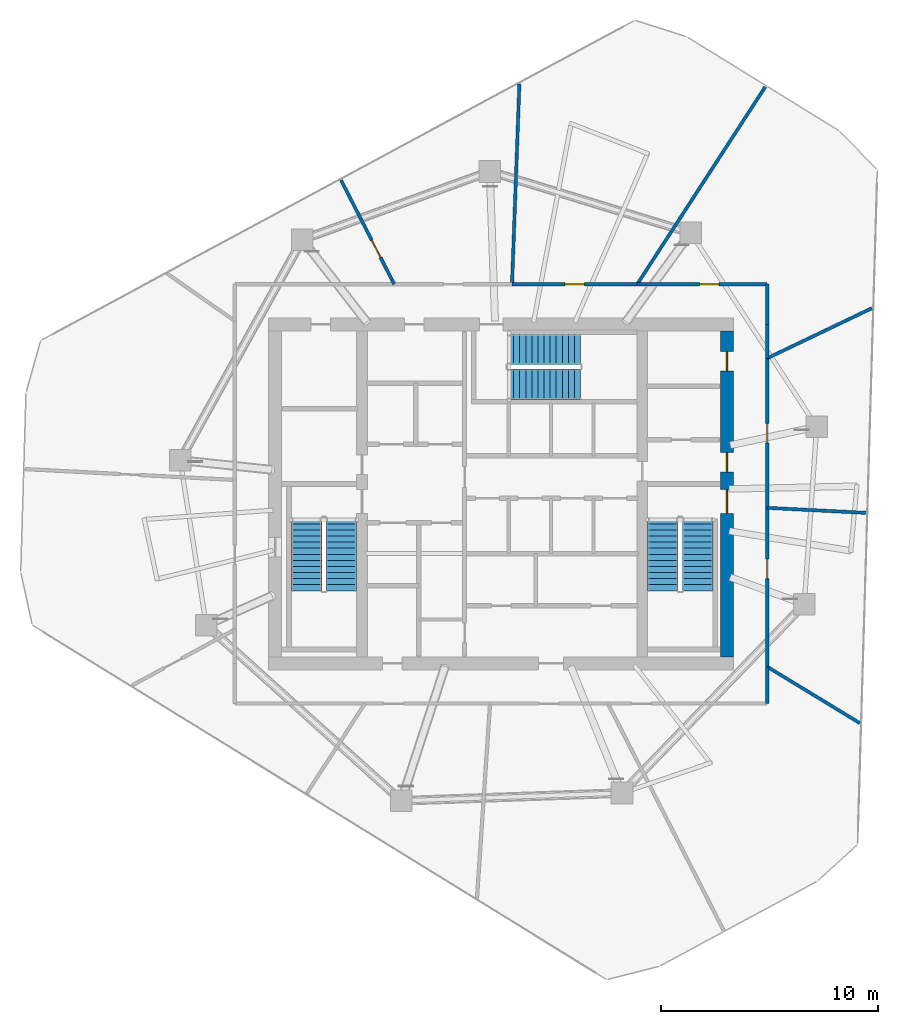
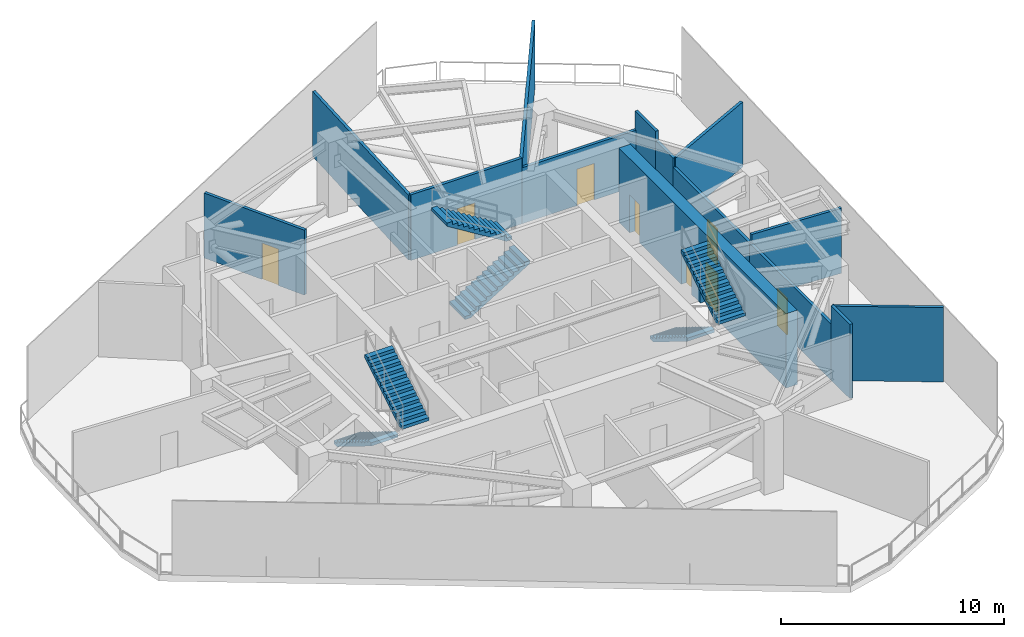
# One storey, part 4 of 6: 14 walls, 8 doors, 6 stair flights, 8 openings, 3 elements without a shape of their own.
"""IFC4 building model written with IfcOpenShell, lengths in metres."""

from ifc_helpers import new_model, si_unit, direction, frame, frame_2d, origin, place, context, subcontext, project, spatial, polyline, rectangle, outline, extrude, material, layer, layer_set, type_object, element, fill, aggregate, save


model = new_model("IFC4")

# Units and contexts
model_context = context("Model", 3, precision=1e-05, world=origin(), true_north=direction((0.0, 1.0)))
body_context = subcontext(model_context, "Body", "Model", "MODEL_VIEW")
ifc_project = project(units=[si_unit("LENGTHUNIT", "METRE"), si_unit("AREAUNIT", "SQUARE_METRE"), si_unit("VOLUMEUNIT", "CUBIC_METRE"), si_unit("PLANEANGLEUNIT", "RADIAN"), si_unit("MASSUNIT", "GRAM", prefix="KILO")], contexts=[model_context])

# Site, building, storey
site_placement = place(None, origin())
site = spatial("IfcSite", under=ifc_project, at=site_placement, CompositionType="ELEMENT")
building_placement = place(site_placement, origin())
building = spatial("IfcBuilding", under=site, at=building_placement, Name="Qarnah Convention Tower", CompositionType="ELEMENT")
storey_placement = place(building_placement, frame((0.0, 0.0, 172.5)))
storey = spatial("IfcBuildingStorey", under=building, at=storey_placement, Name="L46", CompositionType="ELEMENT", Elevation=172.5)

# Wall, openings, doors
ifc_material_1 = material(Name="Concrete C60/75", Category="concrete")
ifc_layer_1 = layer(ifc_material_1, 0.60009765625)
ifc_layer_set_1 = layer_set([ifc_layer_1], Name="Concrete C60/75")
wall_type_1 = type_object("IfcWallType", Name="WL-CORE-600", PredefinedType="SHEAR", material=ifc_layer_set_1)
wall_1_placement = place(storey_placement, frame((47.60009765625, 18.89990234375, 0.0), z_axis=(0.0, 0.0, 1.0), x_axis=(0.0, 1.0, 0.0)))
wall_1 = element("IfcWall", 1, at=wall_1_placement, inside=storey, type_object=wall_type_1, Name="L46 core east shear wall", PredefinedType="SHEAR", context=body_context, shape_type="SweptSolid", body=[
    extrude(rectangle(XDim=15.0, YDim=0.60009765625, at=frame_2d((7.5, 0.0))), origin(), (0.0, 0.0, 1.0), 4.080078125),
])
opening_1_placement = place(wall_1_placement, frame((6.60009765625, 0.0, 0.0)))
opening_1 = element("IfcOpeningElement", 2, at=opening_1_placement, cuts=wall_1, Name="Opening D-4602", PredefinedType="OPENING", context=body_context, shape_type="SweptSolid", body=[
    extrude(rectangle(XDim=1.10009765625, YDim=2.14990234375, at=frame_2d((0.550048828125, 1.074951171875))), frame((0.0, 0.31005859375, 0.0), z_axis=(0.0, -1.0, 0.0), x_axis=(1.0, 0.0, 0.0)), (0.0, 0.0, 1.0), 0.6201171875),
])
opening_2_placement = place(wall_1_placement, frame((8.5, 0.0, 0.0)))
opening_2 = element("IfcOpeningElement", 3, at=opening_2_placement, cuts=wall_1, Name="Opening D-4606", PredefinedType="OPENING", context=body_context, shape_type="SweptSolid", body=[
    extrude(rectangle(XDim=0.89990234375, YDim=2.10009765625, at=frame_2d((0.449951171875, 1.050048828125))), frame((0.0, 0.31005859375, 0.0), z_axis=(0.0, -1.0, 0.0), x_axis=(1.0, 0.0, 0.0)), (0.0, 0.0, 1.0), 0.6201171875),
])
opening_3_placement = place(wall_1_placement, frame((13.14990234375, 0.0, 0.0)))
opening_3 = element("IfcOpeningElement", 4, at=opening_3_placement, cuts=wall_1, Name="Opening D-4612", PredefinedType="OPENING", context=body_context, shape_type="SweptSolid", body=[
    extrude(rectangle(XDim=0.89990234375, YDim=2.10009765625, at=frame_2d((0.449951171875, 1.050048828125))), frame((0.0, 0.31005859375, 0.0), z_axis=(0.0, -1.0, 0.0), x_axis=(1.0, 0.0, 0.0)), (0.0, 0.0, 1.0), 0.6201171875),
])
ifc_material_2 = material(Name="Structural steel S355JR", Category="steel")
door_type_1 = type_object("IfcDoorType", Name="DT-RISER-900", OperationType="NOTDEFINED", PredefinedType="DOOR", material=ifc_material_2)
door_1_placement = place(opening_2_placement, origin())
door_1 = element("IfcDoor", 5, at=door_1_placement, inside=storey, type_object=door_type_1, Name="Door D-4606", OperationType="SINGLE_SWING_RIGHT", OverallHeight=2.10009765625, OverallWidth=0.89990234375, PredefinedType="DOOR", context=body_context, shape_type="SweptSolid", body=[
    extrude(rectangle(XDim=0.89990234375, YDim=2.10009765625, at=frame_2d((0.449951171875, 1.050048828125))), frame((0.0, 0.02490234375, 0.0), z_axis=(0.0, -1.0, 0.0), x_axis=(1.0, 0.0, 0.0)), (0.0, 0.0, 1.0), 0.050048828125),
])
fill(opening_2, door_1)
door_2_placement = place(opening_3_placement, origin())
door_2 = element("IfcDoor", 6, at=door_2_placement, inside=storey, type_object=door_type_1, Name="Door D-4612", OperationType="SINGLE_SWING_RIGHT", OverallHeight=2.10009765625, OverallWidth=0.89990234375, PredefinedType="DOOR", context=body_context, shape_type="SweptSolid", body=[
    extrude(rectangle(XDim=0.89990234375, YDim=2.10009765625, at=frame_2d((0.449951171875, 1.050048828125))), frame((0.0, 0.02490234375, 0.0), z_axis=(0.0, -1.0, 0.0), x_axis=(1.0, 0.0, 0.0)), (0.0, 0.0, 1.0), 0.050048828125),
])
fill(opening_3, door_2)
door_type_2 = type_object("IfcDoorType", Name="DT-STAIR-1100", OperationType="NOTDEFINED", PredefinedType="DOOR", material=ifc_material_2)
door_3_placement = place(opening_1_placement, origin())
door_3 = element("IfcDoor", 7, at=door_3_placement, inside=storey, type_object=door_type_2, Name="Door D-4602", OperationType="SINGLE_SWING_RIGHT", OverallHeight=2.14990234375, OverallWidth=1.10009765625, PredefinedType="DOOR", context=body_context, shape_type="SweptSolid", body=[
    extrude(rectangle(XDim=1.10009765625, YDim=2.14990234375, at=frame_2d((0.550048828125, 1.074951171875))), frame((0.0, 0.02490234375, 0.0), z_axis=(0.0, -1.0, 0.0), x_axis=(1.0, 0.0, 0.0)), (0.0, 0.0, 1.0), 0.050048828125),
])
fill(opening_1, door_3)

# Wall
ifc_material_3 = material(Name="Gypsum partition board")
ifc_layer_2 = layer(ifc_material_3, 0.14990234375)
ifc_layer_set_2 = layer_set([ifc_layer_2], Name="Gypsum partition board")
wall_type_2 = type_object("IfcWallType", Name="WL-SUITE-150", PredefinedType="PARTITIONING", material=ifc_layer_set_2)
wall_2_placement = place(storey_placement, frame((49.35595703125, 45.12890625, 0.0), z_axis=(0.0, 0.0, 1.0), x_axis=(-0.544186384165, -0.838964349236, 0.0)))
element("IfcWall", 8, at=wall_2_placement, inside=storey, type_object=wall_type_2, Name="L46 interior wall IW-L46-R-01", PredefinedType="PARTITIONING", context=body_context, shape_type="SweptSolid", body=[
    extrude(rectangle(XDim=10.821533203125, YDim=0.14990234375, at=frame_2d((5.41064453125, 0.0))), origin(), (0.0, 0.0, 1.0), 3.56494140625),
])

# Wall, opening, door
wall_3_placement = place(storey_placement, frame((43.467041015625, 36.050048828125, 0.0), z_axis=(0.0, 0.0, 1.0), x_axis=(1.0, 0.0, 0.0)))
wall_3 = element("IfcWall", 9, at=wall_3_placement, inside=storey, type_object=wall_type_2, Name="L46 interior wall IW-L46-R-02", PredefinedType="PARTITIONING", context=body_context, shape_type="SweptSolid", body=[
    extrude(rectangle(XDim=5.98291015625, YDim=0.14990234375, at=frame_2d((2.991455078125, 0.0))), origin(), (0.0, 0.0, 1.0), 3.06494140625),
])
opening_4_placement = place(wall_3_placement, frame((2.8701171875, 0.0, 0.0)))
opening_4 = element("IfcOpeningElement", 10, at=opening_4_placement, cuts=wall_3, Name="Opening D-4618", PredefinedType="OPENING", context=body_context, shape_type="SweptSolid", body=[
    extrude(rectangle(XDim=0.89990234375, YDim=2.0, at=frame_2d((0.449951171875, 1.0))), frame((0.0, 0.0849609375, 0.0), z_axis=(0.0, -1.0, 0.0), x_axis=(1.0, 0.0, 0.0)), (0.0, 0.0, 1.0), 0.169921875),
])
door_type_3 = type_object("IfcDoorType", Name="DT-PLANT-900", OperationType="NOTDEFINED", PredefinedType="DOOR", material=ifc_material_2)
door_4_placement = place(opening_4_placement, origin())
door_4 = element("IfcDoor", 11, at=door_4_placement, inside=storey, type_object=door_type_3, Name="Door D-4618", OperationType="SINGLE_SWING_RIGHT", OverallHeight=2.0, OverallWidth=0.89990234375, PredefinedType="DOOR", context=body_context, shape_type="SweptSolid", body=[
    extrude(rectangle(XDim=0.89990234375, YDim=2.0, at=frame_2d((0.449951171875, 1.0))), frame((0.0, 0.02490234375, 0.0), z_axis=(0.0, -1.0, 0.0), x_axis=(1.0, 0.0, 0.0)), (0.0, 0.0, 1.0), 0.050048828125),
])
fill(opening_4, door_4)

# Walls
wall_4_placement = place(storey_placement, frame((49.449951171875, 36.050048828125, 0.0), z_axis=(0.0, 0.0, 1.0), x_axis=(0.0, -1.0, 0.0)))
element("IfcWall", 12, at=wall_4_placement, inside=storey, type_object=wall_type_2, Name="L46 interior wall IW-L46-R-03", PredefinedType="PARTITIONING", context=body_context, shape_type="SweptSolid", body=[
    extrude(rectangle(XDim=1.85009765625, YDim=0.14990234375, at=frame_2d((0.925048828125, 0.0))), origin(), (0.0, 0.0, 1.0), 4.080078125),
])
wall_5_placement = place(storey_placement, frame((49.449951171875, 34.199951171875, 0.0), z_axis=(0.0, 0.0, 1.0), x_axis=(0.0, -1.0, 0.0)))
element("IfcWall", 13, at=wall_5_placement, inside=storey, type_object=wall_type_2, Name="L46 interior wall IW-L46-R-04", PredefinedType="PARTITIONING", context=body_context, shape_type="SweptSolid", body=[
    extrude(rectangle(XDim=1.557861328125, YDim=0.14990234375, at=frame_2d((0.77880859375, 0.0))), origin(), (0.0, 0.0, 1.0), 3.56494140625),
])
wall_6_placement = place(storey_placement, frame((49.449951171875, 32.64208984375, 0.0), z_axis=(0.0, 0.0, 1.0), x_axis=(0.902160522938, 0.431400499365, 0.0)))
element("IfcWall", 14, at=wall_6_placement, inside=storey, type_object=wall_type_2, Name="L46 interior wall IW-L46-R-05", PredefinedType="PARTITIONING", context=body_context, shape_type="SweptSolid", body=[
    extrude(rectangle(XDim=5.340576171875, YDim=0.14990234375, at=frame_2d((2.67041015625, 0.0))), origin(), (0.0, 0.0, 1.0), 3.56494140625),
])
wall_7_placement = place(storey_placement, frame((38.0439453125, 45.26708984375, 0.0), z_axis=(0.0, 0.0, 1.0), x_axis=(-0.036634729759, -0.999328722981, 0.0)))
element("IfcWall", 15, at=wall_7_placement, inside=storey, type_object=wall_type_2, Name="L46 interior wall IW-L46-R-06", PredefinedType="PARTITIONING", context=body_context, shape_type="SweptSolid", body=[
    extrude(rectangle(XDim=9.22314453125, YDim=0.14990234375, at=frame_2d((4.611572265625, 0.0))), origin(), (0.0, 0.0, 1.0), 3.56494140625),
])

# Wall, opening, door
wall_8_placement = place(storey_placement, frame((37.7060546875, 36.050048828125, 0.0), z_axis=(0.0, 0.0, 1.0), x_axis=(1.0, 0.0, 0.0)))
wall_8 = element("IfcWall", 16, at=wall_8_placement, inside=storey, type_object=wall_type_2, Name="L46 interior wall IW-L46-R-07", PredefinedType="PARTITIONING", context=body_context, shape_type="SweptSolid", body=[
    extrude(rectangle(XDim=5.760986328125, YDim=0.14990234375, at=frame_2d((2.88037109375, 0.0))), origin(), (0.0, 0.0, 1.0), 3.60107421875),
])
opening_5_placement = place(wall_8_placement, frame((2.429931640625, 0.0, 0.0)))
opening_5 = element("IfcOpeningElement", 17, at=opening_5_placement, cuts=wall_8, Name="Opening D-4619", PredefinedType="OPENING", context=body_context, shape_type="SweptSolid", body=[
    extrude(rectangle(XDim=0.89990234375, YDim=2.0, at=frame_2d((0.449951171875, 1.0))), frame((0.0, 0.0849609375, 0.0), z_axis=(0.0, -1.0, 0.0), x_axis=(1.0, 0.0, 0.0)), (0.0, 0.0, 1.0), 0.169921875),
])
door_5_placement = place(opening_5_placement, origin())
door_5 = element("IfcDoor", 18, at=door_5_placement, inside=storey, type_object=door_type_3, Name="Door D-4619", OperationType="SINGLE_SWING_LEFT", OverallHeight=2.0, OverallWidth=0.89990234375, PredefinedType="DOOR", context=body_context, shape_type="SweptSolid", body=[
    extrude(rectangle(XDim=0.89990234375, YDim=2.0, at=frame_2d((0.449951171875, 1.0))), frame((0.0, 0.02490234375, 0.0), z_axis=(0.0, -1.0, 0.0), x_axis=(1.0, 0.0, 0.0)), (0.0, 0.0, 1.0), 0.050048828125),
])
fill(opening_5, door_5)

wall_9_placement = place(storey_placement, frame((29.839111328125, 40.8330078125, 0.0), z_axis=(0.0, 0.0, 1.0), x_axis=(0.454996530665, -0.890493210015, 0.0)))
wall_9 = element("IfcWall", 19, at=wall_9_placement, inside=storey, type_object=wall_type_2, Name="L46 interior wall IW-L46-R-08", PredefinedType="PARTITIONING", context=body_context, shape_type="SweptSolid", body=[
    extrude(rectangle(XDim=5.37109375, YDim=0.14990234375, at=frame_2d((2.685546875, 0.0))), origin(), (0.0, 0.0, 1.0), 3.56494140625),
])
opening_6_placement = place(wall_9_placement, frame((3.091064453125, 0.0, 0.0)))
opening_6 = element("IfcOpeningElement", 20, at=opening_6_placement, cuts=wall_9, Name="Opening D-4621", PredefinedType="OPENING", context=body_context, shape_type="SweptSolid", body=[
    extrude(rectangle(XDim=0.89990234375, YDim=2.0, at=frame_2d((0.449951171875, 1.0))), frame((0.0, 0.0849609375, 0.0), z_axis=(0.0, -1.0, 0.0), x_axis=(1.0, 0.0, 0.0)), (0.0, 0.0, 1.0), 0.169921875),
])
door_6_placement = place(opening_6_placement, origin())
door_6 = element("IfcDoor", 21, at=door_6_placement, inside=storey, type_object=door_type_3, Name="Door D-4621", OperationType="SINGLE_SWING_LEFT", OverallHeight=2.0, OverallWidth=0.89990234375, PredefinedType="DOOR", context=body_context, shape_type="SweptSolid", body=[
    extrude(rectangle(XDim=0.89990234375, YDim=2.0, at=frame_2d((0.449951171875, 1.0))), frame((0.0, 0.02490234375, 0.0), z_axis=(0.0, -1.0, 0.0), x_axis=(1.0, 0.0, 0.0)), (0.0, 0.0, 1.0), 0.050048828125),
])
fill(opening_6, door_6)

# Walls
wall_10_placement = place(storey_placement, frame((53.708984375, 15.85205078125, 0.0), z_axis=(0.0, 0.0, 1.0), x_axis=(-0.8541484412, 0.520029268787, 0.0)))
element("IfcWall", 22, at=wall_10_placement, inside=storey, type_object=wall_type_2, Name="L46 interior wall IW-L46-R-26", PredefinedType="PARTITIONING", context=body_context, shape_type="SweptSolid", body=[
    extrude(rectangle(XDim=4.986328125, YDim=0.14990234375, at=frame_2d((2.4931640625, 0.0))), origin(), (0.0, 0.0, 1.0), 4.080078125),
])
wall_11_placement = place(storey_placement, frame((49.449951171875, 18.445068359375, 0.0), z_axis=(0.0, 0.0, 1.0), x_axis=(0.0, -1.0, 0.0)))
element("IfcWall", 23, at=wall_11_placement, inside=storey, type_object=wall_type_2, Name="L46 interior wall IW-L46-R-27", PredefinedType="PARTITIONING", context=body_context, shape_type="SweptSolid", body=[
    extrude(rectangle(XDim=1.695068359375, YDim=0.14990234375, at=frame_2d((0.84765625, 0.0))), origin(), (0.0, 0.0, 1.0), 4.080078125),
])
wall_12_placement = place(storey_placement, frame((53.98193359375, 25.527099609375, 0.0), z_axis=(0.0, 0.0, 1.0), x_axis=(-0.998703982014, 0.050895543123, 0.0)))
element("IfcWall", 24, at=wall_12_placement, inside=storey, type_object=wall_type_2, Name="L46 interior wall IW-L46-R-29", PredefinedType="PARTITIONING", context=body_context, shape_type="SweptSolid", body=[
    extrude(rectangle(XDim=4.537841796875, YDim=0.14990234375, at=frame_2d((2.26904296875, 0.0))), origin(), (0.0, 0.0, 1.0), 3.56494140625),
])

# Wall, opening, door
wall_13_placement = place(storey_placement, frame((49.449951171875, 25.758056640625, 0.0), z_axis=(0.0, 0.0, 1.0), x_axis=(0.0, -1.0, 0.0)))
wall_13 = element("IfcWall", 25, at=wall_13_placement, inside=storey, type_object=wall_type_2, Name="L46 interior wall IW-L46-R-30", PredefinedType="PARTITIONING", context=body_context, shape_type="SweptSolid", body=[
    extrude(rectangle(XDim=7.31298828125, YDim=0.14990234375, at=frame_2d((3.656494140625, 0.0))), origin(), (0.0, 0.0, 1.0), 3.06494140625),
])
opening_7_placement = place(wall_13_placement, frame((2.35888671875, 0.0, 0.0)))
opening_7 = element("IfcOpeningElement", 26, at=opening_7_placement, cuts=wall_13, Name="Opening D-4628", PredefinedType="OPENING", context=body_context, shape_type="SweptSolid", body=[
    extrude(rectangle(XDim=0.89990234375, YDim=2.0, at=frame_2d((0.449951171875, 1.0))), frame((0.0, 0.0849609375, 0.0), z_axis=(0.0, -1.0, 0.0), x_axis=(1.0, 0.0, 0.0)), (0.0, 0.0, 1.0), 0.169921875),
])
door_7_placement = place(opening_7_placement, origin())
door_7 = element("IfcDoor", 27, at=door_7_placement, inside=storey, type_object=door_type_3, Name="Door D-4628", OperationType="SINGLE_SWING_RIGHT", OverallHeight=2.0, OverallWidth=0.89990234375, PredefinedType="DOOR", context=body_context, shape_type="SweptSolid", body=[
    extrude(rectangle(XDim=0.89990234375, YDim=2.0, at=frame_2d((0.449951171875, 1.0))), frame((0.0, 0.02490234375, 0.0), z_axis=(0.0, -1.0, 0.0), x_axis=(1.0, 0.0, 0.0)), (0.0, 0.0, 1.0), 0.050048828125),
])
fill(opening_7, door_7)

wall_14_placement = place(storey_placement, frame((49.449951171875, 32.64208984375, 0.0), z_axis=(0.0, 0.0, 1.0), x_axis=(0.0, -1.0, 0.0)))
wall_14 = element("IfcWall", 28, at=wall_14_placement, inside=storey, type_object=wall_type_2, Name="L46 interior wall IW-L46-R-31", PredefinedType="PARTITIONING", context=body_context, shape_type="SweptSolid", body=[
    extrude(rectangle(XDim=6.884033203125, YDim=0.14990234375, at=frame_2d((3.44189453125, 0.0))), origin(), (0.0, 0.0, 1.0), 3.06494140625),
])
opening_8_placement = place(wall_14_placement, frame((2.991943359375, 0.0, 0.0)))
opening_8 = element("IfcOpeningElement", 29, at=opening_8_placement, cuts=wall_14, Name="Opening D-4629", PredefinedType="OPENING", context=body_context, shape_type="SweptSolid", body=[
    extrude(rectangle(XDim=0.89990234375, YDim=2.0, at=frame_2d((0.449951171875, 1.0))), frame((0.0, 0.0849609375, 0.0), z_axis=(0.0, -1.0, 0.0), x_axis=(1.0, 0.0, 0.0)), (0.0, 0.0, 1.0), 0.169921875),
])
door_8_placement = place(opening_8_placement, origin())
door_8 = element("IfcDoor", 30, at=door_8_placement, inside=storey, type_object=door_type_3, Name="Door D-4629", OperationType="SINGLE_SWING_LEFT", OverallHeight=2.0, OverallWidth=0.89990234375, PredefinedType="DOOR", context=body_context, shape_type="SweptSolid", body=[
    extrude(rectangle(XDim=0.89990234375, YDim=2.0, at=frame_2d((0.449951171875, 1.0))), frame((0.0, 0.02490234375, 0.0), z_axis=(0.0, -1.0, 0.0), x_axis=(1.0, 0.0, 0.0)), (0.0, 0.0, 1.0), 0.050048828125),
])
fill(opening_8, door_8)

# Stair, stair flights
ifc_material_4 = material(Name="Concrete C50/60", Category="concrete")
stair_type = type_object("IfcStairType", Name="STR-PLT", PredefinedType="HALF_TURN_STAIR", material=ifc_material_4)
stair_1_placement = place(storey_placement, origin())
stair_1 = element("IfcStair", 31, at=stair_1_placement, inside=storey, type_object=stair_type, Name="L46 Core exit stair ST-1", PredefinedType="HALF_TURN_STAIR")
stair_flight_type = type_object("IfcStairFlightType", Name="FLT-PLT", PredefinedType="STRAIGHT", material=ifc_material_4)
stair_flight_1_placement = place(storey_placement, frame((28.25, 25.300048828125, 0.0), z_axis=(0.0, 0.0, 1.0), x_axis=(0.0, -1.0, 0.0)))
stair_flight_1 = element("IfcStairFlight", 32, at=stair_flight_1_placement, type_object=stair_flight_type, Name="ST-1 flight 1", NumberOfRisers=13, NumberOfTreads=12, PredefinedType="STRAIGHT", RiserHeight=0.173076923, TreadLength=0.28, context=body_context, shape_type="SweptSolid", body=[
    extrude(outline(polyline([(0.0, 0.0), (0.0, 0.173095703125), (0.280029296875, 0.173095703125), (0.280029296875, 0.34619140625), (0.56005859375, 0.34619140625), (0.56005859375, 0.519287109375), (0.840087890625, 0.519287109375), (0.840087890625, 0.6923828125), (1.1201171875, 0.6923828125), (1.1201171875, 0.865478515625), (1.39990234375, 0.865478515625), (1.39990234375, 1.03857421875), (1.679931640625, 1.03857421875), (1.679931640625, 1.21142578125), (1.9599609375, 1.21142578125), (1.9599609375, 1.384521484375), (2.239990234375, 1.384521484375), (2.239990234375, 1.5576171875), (2.52001953125, 1.5576171875), (2.52001953125, 1.730712890625), (2.800048828125, 1.730712890625), (2.800048828125, 1.90380859375), (3.080078125, 1.90380859375), (3.080078125, 2.076904296875), (3.360107421875, 2.076904296875), (3.360107421875, 2.25), (3.360107421875, 1.900634765625), (0.28515625, 0.0), (0.0, 0.0)])), frame((0.0, 0.699951171875, 0.0), z_axis=(0.0, -1.0, 0.0), x_axis=(1.0, 0.0, 0.0)), (0.0, 0.0, 1.0), 1.39990234375),
])
stair_flight_2_placement = place(storey_placement, frame((29.85009765625, 21.93994140625, 2.25), z_axis=(0.0, 0.0, 1.0), x_axis=(0.0, 1.0, 0.0)))
stair_flight_2 = element("IfcStairFlight", 33, at=stair_flight_2_placement, type_object=stair_flight_type, Name="ST-1 flight 2", NumberOfRisers=13, NumberOfTreads=12, PredefinedType="STRAIGHT", RiserHeight=0.173076923, TreadLength=0.28, context=body_context, shape_type="SweptSolid", body=[
    extrude(outline(polyline([(0.0, 0.0), (0.0, 0.173095703125), (0.280029296875, 0.173095703125), (0.280029296875, 0.34619140625), (0.56005859375, 0.34619140625), (0.56005859375, 0.519287109375), (0.840087890625, 0.519287109375), (0.840087890625, 0.6923828125), (1.1201171875, 0.6923828125), (1.1201171875, 0.865478515625), (1.39990234375, 0.865478515625), (1.39990234375, 1.03857421875), (1.679931640625, 1.03857421875), (1.679931640625, 1.21142578125), (1.9599609375, 1.21142578125), (1.9599609375, 1.384521484375), (2.239990234375, 1.384521484375), (2.239990234375, 1.5576171875), (2.52001953125, 1.5576171875), (2.52001953125, 1.730712890625), (2.800048828125, 1.730712890625), (2.800048828125, 1.90380859375), (3.080078125, 1.90380859375), (3.080078125, 2.076904296875), (3.360107421875, 2.076904296875), (3.360107421875, 2.25), (3.360107421875, 1.900634765625), (0.28515625, 0.0), (0.0, 0.0)])), frame((0.0, 0.699951171875, 0.0), z_axis=(0.0, -1.0, 0.0), x_axis=(1.0, 0.0, 0.0)), (0.0, 0.0, 1.0), 1.39990234375),
])
aggregate(stair_1, [stair_flight_1, stair_flight_2])

stair_2_placement = place(storey_placement, origin())
stair_2 = element("IfcStair", 34, at=stair_2_placement, inside=storey, type_object=stair_type, Name="L46 Core exit stair ST-2", PredefinedType="HALF_TURN_STAIR")
stair_flight_3_placement = place(storey_placement, frame((44.64990234375, 25.300048828125, 0.0), z_axis=(0.0, 0.0, 1.0), x_axis=(0.0, -1.0, 0.0)))
stair_flight_3 = element("IfcStairFlight", 35, at=stair_flight_3_placement, type_object=stair_flight_type, Name="ST-2 flight 1", NumberOfRisers=13, NumberOfTreads=12, PredefinedType="STRAIGHT", RiserHeight=0.173076923, TreadLength=0.28, context=body_context, shape_type="SweptSolid", body=[
    extrude(outline(polyline([(0.0, 0.0), (0.0, 0.173095703125), (0.280029296875, 0.173095703125), (0.280029296875, 0.34619140625), (0.56005859375, 0.34619140625), (0.56005859375, 0.519287109375), (0.840087890625, 0.519287109375), (0.840087890625, 0.6923828125), (1.1201171875, 0.6923828125), (1.1201171875, 0.865478515625), (1.39990234375, 0.865478515625), (1.39990234375, 1.03857421875), (1.679931640625, 1.03857421875), (1.679931640625, 1.21142578125), (1.9599609375, 1.21142578125), (1.9599609375, 1.384521484375), (2.239990234375, 1.384521484375), (2.239990234375, 1.5576171875), (2.52001953125, 1.5576171875), (2.52001953125, 1.730712890625), (2.800048828125, 1.730712890625), (2.800048828125, 1.90380859375), (3.080078125, 1.90380859375), (3.080078125, 2.076904296875), (3.360107421875, 2.076904296875), (3.360107421875, 2.25), (3.360107421875, 1.900634765625), (0.28515625, 0.0), (0.0, 0.0)])), frame((0.0, 0.699951171875, 0.0), z_axis=(0.0, -1.0, 0.0), x_axis=(1.0, 0.0, 0.0)), (0.0, 0.0, 1.0), 1.39990234375),
])
stair_flight_4_placement = place(storey_placement, frame((46.25, 21.93994140625, 2.25), z_axis=(0.0, 0.0, 1.0), x_axis=(0.0, 1.0, 0.0)))
stair_flight_4 = element("IfcStairFlight", 36, at=stair_flight_4_placement, type_object=stair_flight_type, Name="ST-2 flight 2", NumberOfRisers=13, NumberOfTreads=12, PredefinedType="STRAIGHT", RiserHeight=0.173076923, TreadLength=0.28, context=body_context, shape_type="SweptSolid", body=[
    extrude(outline(polyline([(0.0, 0.0), (0.0, 0.173095703125), (0.280029296875, 0.173095703125), (0.280029296875, 0.34619140625), (0.56005859375, 0.34619140625), (0.56005859375, 0.519287109375), (0.840087890625, 0.519287109375), (0.840087890625, 0.6923828125), (1.1201171875, 0.6923828125), (1.1201171875, 0.865478515625), (1.39990234375, 0.865478515625), (1.39990234375, 1.03857421875), (1.679931640625, 1.03857421875), (1.679931640625, 1.21142578125), (1.9599609375, 1.21142578125), (1.9599609375, 1.384521484375), (2.239990234375, 1.384521484375), (2.239990234375, 1.5576171875), (2.52001953125, 1.5576171875), (2.52001953125, 1.730712890625), (2.800048828125, 1.730712890625), (2.800048828125, 1.90380859375), (3.080078125, 1.90380859375), (3.080078125, 2.076904296875), (3.360107421875, 2.076904296875), (3.360107421875, 2.25), (3.360107421875, 1.900634765625), (0.28515625, 0.0), (0.0, 0.0)])), frame((0.0, 0.699951171875, 0.0), z_axis=(0.0, -1.0, 0.0), x_axis=(1.0, 0.0, 0.0)), (0.0, 0.0, 1.0), 1.39990234375),
])
aggregate(stair_2, [stair_flight_3, stair_flight_4])

stair_3_placement = place(storey_placement, origin())
stair_3 = element("IfcStair", 37, at=stair_3_placement, inside=storey, type_object=stair_type, Name="L46 Core exit stair ST-3", PredefinedType="HALF_TURN_STAIR")
stair_flight_5_placement = place(storey_placement, frame((37.5, 31.449951171875, 0.0), z_axis=(0.0, 0.0, 1.0), x_axis=(1.0, 0.0, 0.0)))
stair_flight_5 = element("IfcStairFlight", 38, at=stair_flight_5_placement, type_object=stair_flight_type, Name="ST-3 flight 1", NumberOfRisers=13, NumberOfTreads=12, PredefinedType="STRAIGHT", RiserHeight=0.173076923, TreadLength=0.28, context=body_context, shape_type="SweptSolid", body=[
    extrude(outline(polyline([(0.0, 0.0), (0.0, 0.173095703125), (0.280029296875, 0.173095703125), (0.280029296875, 0.34619140625), (0.56005859375, 0.34619140625), (0.56005859375, 0.519287109375), (0.840087890625, 0.519287109375), (0.840087890625, 0.6923828125), (1.1201171875, 0.6923828125), (1.1201171875, 0.865478515625), (1.39990234375, 0.865478515625), (1.39990234375, 1.03857421875), (1.679931640625, 1.03857421875), (1.679931640625, 1.21142578125), (1.9599609375, 1.21142578125), (1.9599609375, 1.384521484375), (2.239990234375, 1.384521484375), (2.239990234375, 1.5576171875), (2.52001953125, 1.5576171875), (2.52001953125, 1.730712890625), (2.800048828125, 1.730712890625), (2.800048828125, 1.90380859375), (3.080078125, 1.90380859375), (3.080078125, 2.076904296875), (3.360107421875, 2.076904296875), (3.360107421875, 2.25), (3.360107421875, 1.900634765625), (0.28515625, 0.0), (0.0, 0.0)])), frame((0.0, 0.699951171875, 0.0), z_axis=(0.0, -1.0, 0.0), x_axis=(1.0, 0.0, 0.0)), (0.0, 0.0, 1.0), 1.39990234375),
])
stair_flight_6_placement = place(storey_placement, frame((40.860107421875, 33.050048828125, 2.25), z_axis=(0.0, 0.0, 1.0), x_axis=(-1.0, 0.0, 0.0)))
stair_flight_6 = element("IfcStairFlight", 39, at=stair_flight_6_placement, type_object=stair_flight_type, Name="ST-3 flight 2", NumberOfRisers=13, NumberOfTreads=12, PredefinedType="STRAIGHT", RiserHeight=0.173076923, TreadLength=0.28, context=body_context, shape_type="SweptSolid", body=[
    extrude(outline(polyline([(0.0, 0.0), (0.0, 0.173095703125), (0.280029296875, 0.173095703125), (0.280029296875, 0.34619140625), (0.56005859375, 0.34619140625), (0.56005859375, 0.519287109375), (0.840087890625, 0.519287109375), (0.840087890625, 0.6923828125), (1.1201171875, 0.6923828125), (1.1201171875, 0.865478515625), (1.39990234375, 0.865478515625), (1.39990234375, 1.03857421875), (1.679931640625, 1.03857421875), (1.679931640625, 1.21142578125), (1.9599609375, 1.21142578125), (1.9599609375, 1.384521484375), (2.239990234375, 1.384521484375), (2.239990234375, 1.5576171875), (2.52001953125, 1.5576171875), (2.52001953125, 1.730712890625), (2.800048828125, 1.730712890625), (2.800048828125, 1.90380859375), (3.080078125, 1.90380859375), (3.080078125, 2.076904296875), (3.360107421875, 2.076904296875), (3.360107421875, 2.25), (3.360107421875, 1.900634765625), (0.28515625, 0.0), (0.0, 0.0)])), frame((0.0, 0.699951171875, 0.0), z_axis=(0.0, -1.0, 0.0), x_axis=(1.0, 0.0, 0.0)), (0.0, 0.0, 1.0), 1.39990234375),
])
aggregate(stair_3, [stair_flight_5, stair_flight_6])

save(model, "model.ifc")
